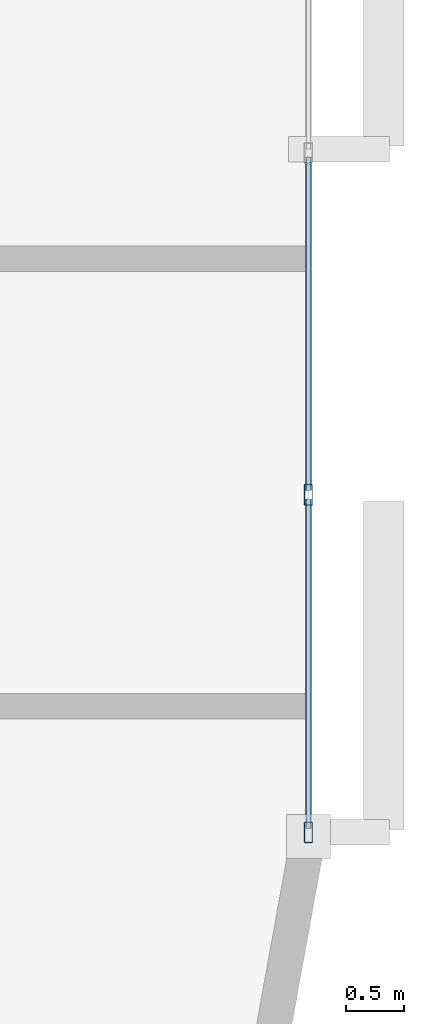
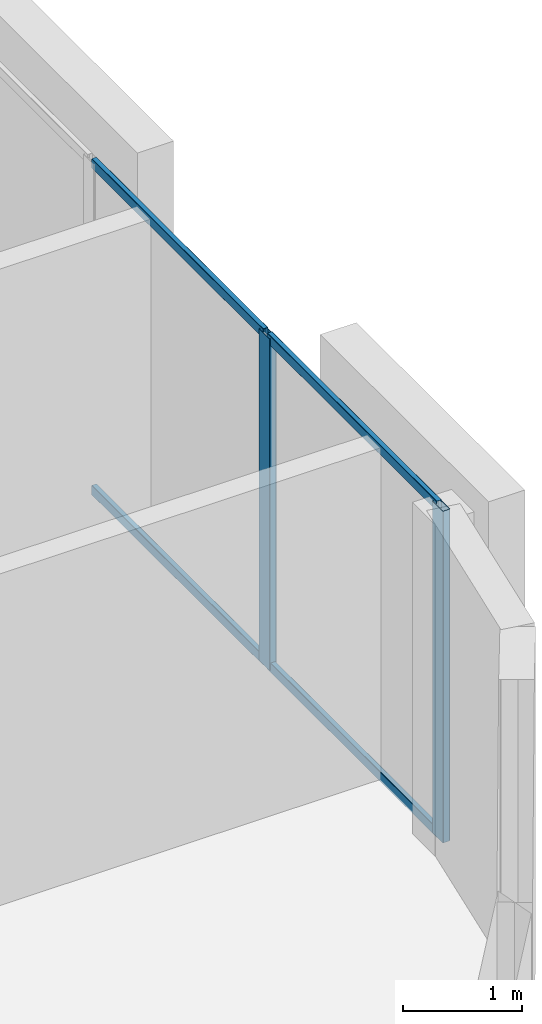
# One storey, part 4 of 13: 6 members, 1 element without a shape of its own.
"""IFC4 building model written with IfcOpenShell, lengths in metres."""

from ifc_helpers import new_model, si_unit, direction, frame, origin, origin_2d, place, context, subcontext, project, spatial, hollow_rectangle, extrude, material, layer, layer_set, material_profile, profile_set, type_object, element, aggregate, save


model = new_model("IFC4")

# Units and contexts
model_context = context("Model", 3, precision=1e-05, world=origin(), true_north=direction((0.0, 1.0)))
body_context = subcontext(model_context, "Body", "Model", "MODEL_VIEW")
ifc_project = project(units=[si_unit("LENGTHUNIT", "METRE"), si_unit("AREAUNIT", "SQUARE_METRE"), si_unit("VOLUMEUNIT", "CUBIC_METRE"), si_unit("PLANEANGLEUNIT", "RADIAN"), si_unit("MASSUNIT", "GRAM", prefix="KILO")], contexts=[model_context])

# Site, building, storey
site_placement = place(None, origin())
site = spatial("IfcSite", under=ifc_project, at=site_placement, CompositionType="ELEMENT")
building_placement = place(site_placement, origin())
building = spatial("IfcBuilding", under=site, at=building_placement, Name="An Khanh Terracotta Commons", CompositionType="ELEMENT")
storey_placement = place(building_placement, frame((0.0, 0.0, 215.699951171875)))
storey = spatial("IfcBuildingStorey", under=building, at=storey_placement, Name="L56", CompositionType="ELEMENT", Elevation=215.699951171875)

# Curtain wall, members
ifc_material = material(Name="Anodised Aluminium 6063-T6", Category="aluminium")
ifc_layer = layer(ifc_material, 0.2099609375, Name="Anodised Aluminium 6063-T6")
ifc_layer_set = layer_set([ifc_layer], Name="Anodised Aluminium 6063-T6")
curtain_wall_type = type_object("IfcCurtainWallType", Name="CW-SYS-03", PredefinedType="USERDEFINED", material=ifc_layer_set)
curtain_wall_placement = place(storey_placement, origin())
curtain_wall = element("IfcCurtainWall", 1, at=curtain_wall_placement, inside=storey, type_object=curtain_wall_type, Name="L56 CW-03 Unitised Curtain Wall CW-L56-12", ObjectType="UNITISED CURTAIN WALL", PredefinedType="USERDEFINED")
ifc_material_profile_1 = material_profile(ifc_material, hollow_rectangle(XDim=0.070068359375, YDim=0.179931640625, WallThickness=0.00390625, InnerFilletRadius=0.00390625, OuterFilletRadius=0.008056640625, at=origin_2d()), Name="RHS180x70x4")
ifc_profile_set_1 = profile_set([ifc_material_profile_1], Name="Anodised Aluminium 6063-T6")
member_type_1 = type_object("IfcMemberType", Name="CWM-RHS180x70x4", PredefinedType="MULLION", material=ifc_profile_set_1)
member_1_placement = place(storey_placement, frame((68.60009765625, 18.135986328125, 0.0), z_axis=(0.0, 0.0, 1.0), x_axis=(-1.0, 0.0, 0.0)))
member_1 = element("IfcMember", 2, at=member_1_placement, type_object=member_type_1, Name="CW-03 mullion 1", PredefinedType="MULLION", context=body_context, shape_type="SweptSolid", body=[
    extrude(hollow_rectangle(XDim=0.070068359375, YDim=0.179931640625, WallThickness=0.00390625, InnerFilletRadius=0.00390625, OuterFilletRadius=0.008056640625, at=origin_2d()), origin(), (0.0, 0.0, 1.0), 3.400146484375),
])
member_2_placement = place(storey_placement, frame((68.60009765625, 21.050537109375, 0.0), z_axis=(0.0, 0.0, 1.0), x_axis=(-1.0, 0.0, 0.0)))
member_2 = element("IfcMember", 3, at=member_2_placement, type_object=member_type_1, Name="CW-03 mullion 2", PredefinedType="MULLION", context=body_context, shape_type="SweptSolid", body=[
    extrude(hollow_rectangle(XDim=0.070068359375, YDim=0.179931640625, WallThickness=0.00390625, InnerFilletRadius=0.00390625, OuterFilletRadius=0.008056640625, at=origin_2d()), origin(), (0.0, 0.0, 1.0), 3.400146484375),
])
ifc_material_profile_2 = material_profile(ifc_material, hollow_rectangle(XDim=0.050048828125, YDim=0.10009765625, WallThickness=0.003173828125, InnerFilletRadius=0.003173828125, OuterFilletRadius=0.00634765625, at=origin_2d()), Name="RHS100x50x3.2")
ifc_profile_set_2 = profile_set([ifc_material_profile_2], Name="Anodised Aluminium 6063-T6")
member_type_2 = type_object("IfcMemberType", Name="CWT-RHS100x50x3.2", PredefinedType="USERDEFINED", material=ifc_profile_set_2)
member_3_placement = place(storey_placement, frame((68.60009765625, 18.1708984375, 0.025146484375), z_axis=(0.0, 1.0, 0.0), x_axis=(-1.0, 0.0, 0.0)))
member_3 = element("IfcMember", 4, at=member_3_placement, type_object=member_type_2, Name="CW-03 transom 1.1", ObjectType="TRANSOM", PredefinedType="USERDEFINED", context=body_context, shape_type="SweptSolid", body=[
    extrude(hollow_rectangle(XDim=0.050048828125, YDim=0.10009765625, WallThickness=0.003173828125, InnerFilletRadius=0.003173828125, OuterFilletRadius=0.00634765625, at=origin_2d()), origin(), (0.0, 0.0, 1.0), 2.844482421875),
])
member_4_placement = place(storey_placement, frame((68.60009765625, 18.1708984375, 3.375), z_axis=(0.0, 1.0, 0.0), x_axis=(-1.0, 0.0, 0.0)))
member_4 = element("IfcMember", 5, at=member_4_placement, type_object=member_type_2, Name="CW-03 transom 1.2", ObjectType="TRANSOM", PredefinedType="USERDEFINED", context=body_context, shape_type="SweptSolid", body=[
    extrude(hollow_rectangle(XDim=0.050048828125, YDim=0.10009765625, WallThickness=0.003173828125, InnerFilletRadius=0.003173828125, OuterFilletRadius=0.00634765625, at=origin_2d()), origin(), (0.0, 0.0, 1.0), 2.844482421875),
])
member_5_placement = place(storey_placement, frame((68.60009765625, 21.08544921875, 0.025146484375), z_axis=(0.0, 1.0, 0.0), x_axis=(-1.0, 0.0, 0.0)))
member_5 = element("IfcMember", 6, at=member_5_placement, type_object=member_type_2, Name="CW-03 transom 2.1", ObjectType="TRANSOM", PredefinedType="USERDEFINED", context=body_context, shape_type="SweptSolid", body=[
    extrude(hollow_rectangle(XDim=0.050048828125, YDim=0.10009765625, WallThickness=0.003173828125, InnerFilletRadius=0.003173828125, OuterFilletRadius=0.00634765625, at=origin_2d()), origin(), (0.0, 0.0, 1.0), 2.879638671875),
])
member_6_placement = place(storey_placement, frame((68.60009765625, 21.08544921875, 3.375), z_axis=(0.0, 1.0, 0.0), x_axis=(-1.0, 0.0, 0.0)))
member_6 = element("IfcMember", 7, at=member_6_placement, type_object=member_type_2, Name="CW-03 transom 2.2", ObjectType="TRANSOM", PredefinedType="USERDEFINED", context=body_context, shape_type="SweptSolid", body=[
    extrude(hollow_rectangle(XDim=0.050048828125, YDim=0.10009765625, WallThickness=0.003173828125, InnerFilletRadius=0.003173828125, OuterFilletRadius=0.00634765625, at=origin_2d()), origin(), (0.0, 0.0, 1.0), 2.879638671875),
])
aggregate(curtain_wall, [member_1, member_2, member_3, member_4, member_5, member_6])

save(model, "model.ifc")
